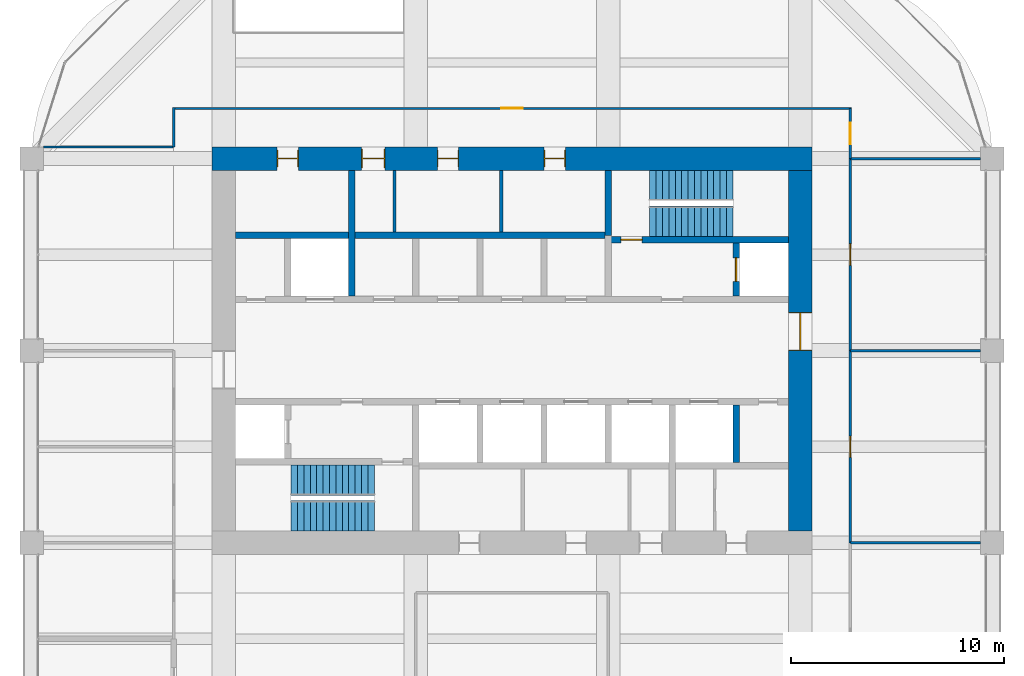
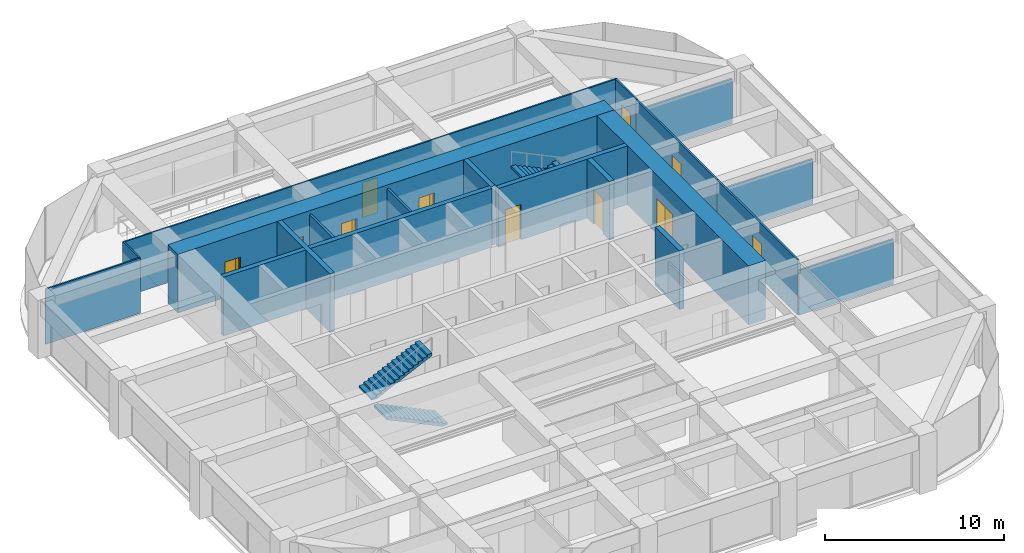
# One storey, part 43 of 44: 19 walls, 11 doors, 4 stair flights, 11 openings, 2 elements without a shape of their own.
"""IFC4 building model written with IfcOpenShell, lengths in metres."""

from ifc_helpers import new_model, si_unit, direction, frame, frame_2d, origin, place, context, subcontext, project, spatial, polyline, rectangle, outline, extrude, material, layer, layer_set, type_object, element, fill, aggregate, save


model = new_model("IFC4")

# Units and contexts
model_context = context("Model", 3, precision=1e-05, world=origin(), true_north=direction((0.0, 1.0)))
body_context = subcontext(model_context, "Body", "Model", "MODEL_VIEW")
ifc_project = project(units=[si_unit("LENGTHUNIT", "METRE"), si_unit("AREAUNIT", "SQUARE_METRE"), si_unit("VOLUMEUNIT", "CUBIC_METRE"), si_unit("PLANEANGLEUNIT", "RADIAN"), si_unit("MASSUNIT", "GRAM", prefix="KILO")], contexts=[model_context])

# Site, building, storey
site_placement = place(None, origin())
site = spatial("IfcSite", under=ifc_project, at=site_placement, CompositionType="ELEMENT")
building_placement = place(site_placement, origin())
building = spatial("IfcBuilding", under=site, at=building_placement, Name="Zorevar Civic Tower", CompositionType="ELEMENT")
storey_placement = place(building_placement, frame((0.0, 0.0, 275.39990234375)))
storey = spatial("IfcBuildingStorey", under=building, at=storey_placement, Name="L67", CompositionType="ELEMENT", Elevation=275.39990234375)

# Wall, openings, doors
ifc_material_1 = material(Name="Concrete C50/60", Category="concrete")
ifc_layer_1 = layer(ifc_material_1, 1.10009765625)
ifc_layer_set_1 = layer_set([ifc_layer_1], Name="Core wall 1100")
wall_type_1 = type_object("IfcWallType", Name="Core wall 1100", PredefinedType="SHEAR", material=ifc_layer_set_1)
wall_1_placement = place(storey_placement, frame((45.550048828125, 36.0, 0.0), z_axis=(0.0, 0.0, 1.0), x_axis=(-1.0, 0.0, 0.0)))
wall_1 = element("IfcWall", 1, at=wall_1_placement, inside=storey, type_object=wall_type_1, Name="Core wall N L67", PredefinedType="SHEAR", context=body_context, shape_type="SweptSolid", body=[
    extrude(rectangle(XDim=28.10009765625, YDim=1.10009765625, at=frame_2d((14.050048828125, 0.0))), origin(), (0.0, 0.0, 1.0), 4.0),
])
opening_1_placement = place(wall_1_placement, frame((11.550048828125, 0.0, 0.0)))
opening_1 = element("IfcOpeningElement", 2, at=opening_1_placement, cuts=wall_1, Name="Opening L67.07", PredefinedType="OPENING", context=body_context, shape_type="SweptSolid", body=[
    extrude(rectangle(XDim=1.0, YDim=2.39990234375, at=frame_2d((0.5, 1.199951171875))), frame((0.0, 0.56005859375, 0.0), z_axis=(0.0, -1.0, 0.0), x_axis=(1.0, 0.0, 0.0)), (0.0, 0.0, 1.0), 1.1201171875),
])
opening_2_placement = place(wall_1_placement, frame((16.550048828125, 0.0, 0.0)))
opening_2 = element("IfcOpeningElement", 3, at=opening_2_placement, cuts=wall_1, Name="Opening L67.08", PredefinedType="OPENING", context=body_context, shape_type="SweptSolid", body=[
    extrude(rectangle(XDim=1.0, YDim=2.39990234375, at=frame_2d((0.5, 1.199951171875))), frame((0.0, 0.56005859375, 0.0), z_axis=(0.0, -1.0, 0.0), x_axis=(1.0, 0.0, 0.0)), (0.0, 0.0, 1.0), 1.1201171875),
])
opening_3_placement = place(wall_1_placement, frame((20.0, 0.0, 0.0)))
opening_3 = element("IfcOpeningElement", 4, at=opening_3_placement, cuts=wall_1, Name="Opening L67.09", PredefinedType="OPENING", context=body_context, shape_type="SweptSolid", body=[
    extrude(rectangle(XDim=1.10009765625, YDim=2.39990234375, at=frame_2d((0.550048828125, 1.199951171875))), frame((0.0, 0.56005859375, 0.0), z_axis=(0.0, -1.0, 0.0), x_axis=(1.0, 0.0, 0.0)), (0.0, 0.0, 1.0), 1.1201171875),
])
opening_4_placement = place(wall_1_placement, frame((24.050048828125, 0.0, 0.0)))
opening_4 = element("IfcOpeningElement", 5, at=opening_4_placement, cuts=wall_1, Name="Opening L67.10", PredefinedType="OPENING", context=body_context, shape_type="SweptSolid", body=[
    extrude(rectangle(XDim=1.0, YDim=2.39990234375, at=frame_2d((0.5, 1.199951171875))), frame((0.0, 0.56005859375, 0.0), z_axis=(0.0, -1.0, 0.0), x_axis=(1.0, 0.0, 0.0)), (0.0, 0.0, 1.0), 1.1201171875),
])
ifc_material_2 = material(Name="Timber door set", Category="wood")
door_type_1 = type_object("IfcDoorType", Name="Door D1 1000x2400", OperationType="SINGLE_SWING_LEFT", PredefinedType="DOOR", material=ifc_material_2)
door_1_placement = place(opening_1_placement, origin())
door_1 = element("IfcDoor", 6, at=door_1_placement, inside=storey, type_object=door_type_1, Name="Door L67 06", OperationType="SINGLE_SWING_LEFT", OverallHeight=2.39990234375, OverallWidth=1.0, PredefinedType="DOOR", context=body_context, shape_type="SweptSolid", body=[
    extrude(rectangle(XDim=1.0, YDim=2.39990234375, at=frame_2d((0.5, 1.199951171875))), frame((0.0, 0.02490234375, 0.0), z_axis=(0.0, -1.0, 0.0), x_axis=(1.0, 0.0, 0.0)), (0.0, 0.0, 1.0), 0.050048828125),
    extrude(rectangle(XDim=0.04, YDim=2.39990234375, at=frame_2d((0.02001953125, 1.199951171875))), frame((0.0, 0.39990234375, 0.0), z_axis=(0.0, -1.0, 0.0), x_axis=(1.0, 0.0, 0.0)), (0.0, 0.0, 1.0), 0.800048828125),
    extrude(rectangle(XDim=0.04, YDim=2.39990234375, at=frame_2d((0.97998046875, 1.199951171875))), frame((0.0, 0.39990234375, 0.0), z_axis=(0.0, -1.0, 0.0), x_axis=(1.0, 0.0, 0.0)), (0.0, 0.0, 1.0), 0.800048828125),
    extrude(rectangle(XDim=1.0, YDim=0.04, at=frame_2d((0.5, 2.3798828125))), frame((0.0, 0.39990234375, 0.0), z_axis=(0.0, -1.0, 0.0), x_axis=(1.0, 0.0, 0.0)), (0.0, 0.0, 1.0), 0.800048828125),
])
fill(opening_1, door_1)
door_2_placement = place(opening_2_placement, origin())
door_2 = element("IfcDoor", 7, at=door_2_placement, inside=storey, type_object=door_type_1, Name="Door L67 07", OperationType="SINGLE_SWING_RIGHT", OverallHeight=2.39990234375, OverallWidth=1.0, PredefinedType="DOOR", context=body_context, shape_type="SweptSolid", body=[
    extrude(rectangle(XDim=1.0, YDim=2.39990234375, at=frame_2d((0.5, 1.199951171875))), frame((0.0, 0.02490234375, 0.0), z_axis=(0.0, -1.0, 0.0), x_axis=(1.0, 0.0, 0.0)), (0.0, 0.0, 1.0), 0.050048828125),
    extrude(rectangle(XDim=0.04, YDim=2.39990234375, at=frame_2d((0.02001953125, 1.199951171875))), frame((0.0, 0.39990234375, 0.0), z_axis=(0.0, -1.0, 0.0), x_axis=(1.0, 0.0, 0.0)), (0.0, 0.0, 1.0), 0.800048828125),
    extrude(rectangle(XDim=0.04, YDim=2.39990234375, at=frame_2d((0.97998046875, 1.199951171875))), frame((0.0, 0.39990234375, 0.0), z_axis=(0.0, -1.0, 0.0), x_axis=(1.0, 0.0, 0.0)), (0.0, 0.0, 1.0), 0.800048828125),
    extrude(rectangle(XDim=1.0, YDim=0.04, at=frame_2d((0.5, 2.3798828125))), frame((0.0, 0.39990234375, 0.0), z_axis=(0.0, -1.0, 0.0), x_axis=(1.0, 0.0, 0.0)), (0.0, 0.0, 1.0), 0.800048828125),
])
fill(opening_2, door_2)
door_3_placement = place(opening_4_placement, origin())
door_3 = element("IfcDoor", 8, at=door_3_placement, inside=storey, type_object=door_type_1, Name="Door L67 09", OperationType="SINGLE_SWING_RIGHT", OverallHeight=2.39990234375, OverallWidth=1.0, PredefinedType="DOOR", context=body_context, shape_type="SweptSolid", body=[
    extrude(rectangle(XDim=1.0, YDim=2.39990234375, at=frame_2d((0.5, 1.199951171875))), frame((0.0, 0.02490234375, 0.0), z_axis=(0.0, -1.0, 0.0), x_axis=(1.0, 0.0, 0.0)), (0.0, 0.0, 1.0), 0.050048828125),
    extrude(rectangle(XDim=0.04, YDim=2.39990234375, at=frame_2d((0.02001953125, 1.199951171875))), frame((0.0, 0.39990234375, 0.0), z_axis=(0.0, -1.0, 0.0), x_axis=(1.0, 0.0, 0.0)), (0.0, 0.0, 1.0), 0.800048828125),
    extrude(rectangle(XDim=0.04, YDim=2.39990234375, at=frame_2d((0.97998046875, 1.199951171875))), frame((0.0, 0.39990234375, 0.0), z_axis=(0.0, -1.0, 0.0), x_axis=(1.0, 0.0, 0.0)), (0.0, 0.0, 1.0), 0.800048828125),
    extrude(rectangle(XDim=1.0, YDim=0.04, at=frame_2d((0.5, 2.3798828125))), frame((0.0, 0.39990234375, 0.0), z_axis=(0.0, -1.0, 0.0), x_axis=(1.0, 0.0, 0.0)), (0.0, 0.0, 1.0), 0.800048828125),
])
fill(opening_4, door_3)
ifc_material_3 = material(Name="Timber door set", Category="wood")
door_type_2 = type_object("IfcDoorType", Name="Door D5 1100x2400", OperationType="SINGLE_SWING_LEFT", PredefinedType="DOOR", material=ifc_material_3)
door_4_placement = place(opening_3_placement, origin())
door_4 = element("IfcDoor", 9, at=door_4_placement, inside=storey, type_object=door_type_2, Name="Door L67 08", OperationType="SINGLE_SWING_RIGHT", OverallHeight=2.39990234375, OverallWidth=1.10009765625, PredefinedType="DOOR", context=body_context, shape_type="SweptSolid", body=[
    extrude(rectangle(XDim=1.10009765625, YDim=2.39990234375, at=frame_2d((0.550048828125, 1.199951171875))), frame((0.0, 0.02490234375, 0.0), z_axis=(0.0, -1.0, 0.0), x_axis=(1.0, 0.0, 0.0)), (0.0, 0.0, 1.0), 0.050048828125),
    extrude(rectangle(XDim=0.04, YDim=2.39990234375, at=frame_2d((0.02001953125, 1.199951171875))), frame((0.0, 0.43994140625, 0.0), z_axis=(0.0, -1.0, 0.0), x_axis=(1.0, 0.0, 0.0)), (0.0, 0.0, 1.0), 0.880126953125),
    extrude(rectangle(XDim=0.04, YDim=2.39990234375, at=frame_2d((1.080078125, 1.199951171875))), frame((0.0, 0.43994140625, 0.0), z_axis=(0.0, -1.0, 0.0), x_axis=(1.0, 0.0, 0.0)), (0.0, 0.0, 1.0), 0.880126953125),
    extrude(rectangle(XDim=1.10009765625, YDim=0.04, at=frame_2d((0.550048828125, 2.3798828125))), frame((0.0, 0.43994140625, 0.0), z_axis=(0.0, -1.0, 0.0), x_axis=(1.0, 0.0, 0.0)), (0.0, 0.0, 1.0), 0.880126953125),
])
fill(opening_3, door_4)

# Wall, opening, door
wall_2_placement = place(storey_placement, frame((45.0, 18.550048828125, 0.0), z_axis=(0.0, 0.0, 1.0), x_axis=(0.0, 1.0, 0.0)))
wall_2 = element("IfcWall", 10, at=wall_2_placement, inside=storey, type_object=wall_type_1, Name="Core wall E L67", PredefinedType="SHEAR", context=body_context, shape_type="SweptSolid", body=[
    extrude(rectangle(XDim=16.89990234375, YDim=1.10009765625, at=frame_2d((8.449951171875, 0.0))), origin(), (0.0, 0.0, 1.0), 4.0),
])
opening_5_placement = place(wall_2_placement, frame((8.449951171875, 0.0, 0.0)))
opening_5 = element("IfcOpeningElement", 11, at=opening_5_placement, cuts=wall_2, Name="Opening L67.02", PredefinedType="OPENING", context=body_context, shape_type="SweptSolid", body=[
    extrude(rectangle(XDim=1.800048828125, YDim=2.39990234375, at=frame_2d((0.89990234375, 1.199951171875))), frame((0.0, 0.56005859375, 0.0), z_axis=(0.0, -1.0, 0.0), x_axis=(1.0, 0.0, 0.0)), (0.0, 0.0, 1.0), 1.1201171875),
])
ifc_material_4 = material(Name="Steel door set", Category="steel")
door_type_3 = type_object("IfcDoorType", Name="Fire door FD2 1800x2400", OperationType="DOUBLE_DOOR_DOUBLE_SWING", PredefinedType="DOOR", material=ifc_material_4)
door_5_placement = place(opening_5_placement, origin())
door_5 = element("IfcDoor", 12, at=door_5_placement, inside=storey, type_object=door_type_3, Name="Door L67 01", OperationType="DOUBLE_DOOR_DOUBLE_SWING", OverallHeight=2.39990234375, OverallWidth=1.800048828125, PredefinedType="DOOR", context=body_context, shape_type="SweptSolid", body=[
    extrude(rectangle(XDim=1.800048828125, YDim=2.39990234375, at=frame_2d((0.89990234375, 1.199951171875))), frame((0.0, 0.030029296875, 0.0), z_axis=(0.0, -1.0, 0.0), x_axis=(1.0, 0.0, 0.0)), (0.0, 0.0, 1.0), 0.06005859375),
    extrude(rectangle(XDim=0.04, YDim=2.39990234375, at=frame_2d((0.02001953125, 1.199951171875))), frame((0.0, 0.5498046875, 0.0), z_axis=(0.0, -1.0, 0.0), x_axis=(1.0, 0.0, 0.0)), (0.0, 0.0, 1.0), 1.099609375),
    extrude(rectangle(XDim=0.04, YDim=2.39990234375, at=frame_2d((1.780029296875, 1.199951171875))), frame((0.0, 0.5498046875, 0.0), z_axis=(0.0, -1.0, 0.0), x_axis=(1.0, 0.0, 0.0)), (0.0, 0.0, 1.0), 1.099609375),
    extrude(rectangle(XDim=1.800048828125, YDim=0.04, at=frame_2d((0.89990234375, 2.3798828125))), frame((0.0, 0.5498046875, 0.0), z_axis=(0.0, -1.0, 0.0), x_axis=(1.0, 0.0, 0.0)), (0.0, 0.0, 1.0), 1.099609375),
])
fill(opening_5, door_5)

# Wall
ifc_material_5 = material(Name="Laminated glass in black aluminium frame", Category="aluminium")
ifc_layer_2 = layer(ifc_material_5, 0.10009765625)
ifc_layer_set_2 = layer_set([ifc_layer_2], Name="Glazed partition 100")
wall_type_2 = type_object("IfcWallType", Name="Glazed partition 100", PredefinedType="PARTITIONING", material=ifc_layer_set_2)
wall_3_placement = place(storey_placement, frame((9.550048828125, 36.550048828125, 0.0), z_axis=(0.0, 0.0, 1.0), x_axis=(1.0, 0.0, 0.0)))
element("IfcWall", 13, at=wall_3_placement, inside=storey, type_object=wall_type_2, Name="Glazed partition 100 L67", PredefinedType="PARTITIONING", context=body_context, shape_type="SweptSolid", body=[
    extrude(rectangle(XDim=6.099853515625, YDim=0.10009765625, at=frame_2d((3.0498046875, 0.0))), origin(), (0.0, 0.0, 1.0), 3.75),
])

# Wall, opening, door
wall_4_placement = place(storey_placement, frame((15.60009765625, 38.35009765625, 0.0), z_axis=(0.0, 0.0, 1.0), x_axis=(1.0, 0.0, 0.0)))
wall_4 = element("IfcWall", 14, at=wall_4_placement, inside=storey, type_object=wall_type_2, Name="Glazed partition 100 L67", PredefinedType="PARTITIONING", context=body_context, shape_type="SweptSolid", body=[
    extrude(rectangle(XDim=31.7998046875, YDim=0.10009765625, at=frame_2d((15.89990234375, 0.0))), origin(), (0.0, 0.0, 1.0), 3.75),
])
opening_6_placement = place(wall_4_placement, frame((15.39990234375, 0.0, 0.0)))
opening_6 = element("IfcOpeningElement", 15, at=opening_6_placement, cuts=wall_4, Name="Opening L67.25", PredefinedType="OPENING", context=body_context, shape_type="SweptSolid", body=[
    extrude(rectangle(XDim=1.0, YDim=2.39990234375, at=frame_2d((0.5, 1.199951171875))), frame((0.0, 0.06005859375, 0.0), z_axis=(0.0, -1.0, 0.0), x_axis=(1.0, 0.0, 0.0)), (0.0, 0.0, 1.0), 0.1201171875),
])
ifc_material_6 = material(Name="Timber door set", Category="wood")
door_type_4 = type_object("IfcDoorType", Name="Glazed door GD1 1000x2400", OperationType="SINGLE_SWING_LEFT", PredefinedType="DOOR", material=ifc_material_6)
door_6_placement = place(opening_6_placement, origin())
door_6 = element("IfcDoor", 16, at=door_6_placement, inside=storey, type_object=door_type_4, Name="Door L67 D1", OperationType="SINGLE_SWING_LEFT", OverallHeight=2.39990234375, OverallWidth=1.0, PredefinedType="DOOR", context=body_context, shape_type="SweptSolid", body=[
    extrude(rectangle(XDim=1.0, YDim=2.39990234375, at=frame_2d((0.5, 1.199951171875))), frame((0.0, 0.02001953125, 0.0), z_axis=(0.0, -1.0, 0.0), x_axis=(1.0, 0.0, 0.0)), (0.0, 0.0, 1.0), 0.0400390625),
])
fill(opening_6, door_6)

# Wall
wall_5_placement = place(storey_placement, frame((15.64990234375, 36.550048828125, 0.0), z_axis=(0.0, 0.0, 1.0), x_axis=(0.0, 1.0, 0.0)))
element("IfcWall", 17, at=wall_5_placement, inside=storey, type_object=wall_type_2, Name="Glazed partition 100 L67", PredefinedType="PARTITIONING", context=body_context, shape_type="SweptSolid", body=[
    extrude(rectangle(XDim=1.849853515625, YDim=0.10009765625, at=frame_2d((0.9248046875, 0.0))), origin(), (0.0, 0.0, 1.0), 3.75),
])

# Wall, opening, door
wall_6_placement = place(storey_placement, frame((47.35009765625, 36.0, 0.0), z_axis=(0.0, 0.0, 1.0), x_axis=(0.0, 1.0, 0.0)))
wall_6 = element("IfcWall", 18, at=wall_6_placement, inside=storey, type_object=wall_type_2, Name="Glazed partition 100 L67", PredefinedType="PARTITIONING", context=body_context, shape_type="SweptSolid", body=[
    extrude(rectangle(XDim=2.35009765625, YDim=0.10009765625, at=frame_2d((1.175048828125, 0.0))), origin(), (0.0, 0.0, 1.0), 3.75),
])
opening_7_placement = place(wall_6_placement, frame((0.675048828125, 0.0, 0.0)))
opening_7 = element("IfcOpeningElement", 19, at=opening_7_placement, cuts=wall_6, Name="Opening L67.33", PredefinedType="OPENING", context=body_context, shape_type="SweptSolid", body=[
    extrude(rectangle(XDim=1.0, YDim=2.39990234375, at=frame_2d((0.5, 1.199951171875))), frame((0.0, 0.06005859375, 0.0), z_axis=(0.0, -1.0, 0.0), x_axis=(1.0, 0.0, 0.0)), (0.0, 0.0, 1.0), 0.1201171875),
])
door_7_placement = place(opening_7_placement, origin())
door_7 = element("IfcDoor", 20, at=door_7_placement, inside=storey, type_object=door_type_4, Name="Door L67 D1", OperationType="SINGLE_SWING_LEFT", OverallHeight=2.39990234375, OverallWidth=1.0, PredefinedType="DOOR", context=body_context, shape_type="SweptSolid", body=[
    extrude(rectangle(XDim=1.0, YDim=2.39990234375, at=frame_2d((0.5, 1.199951171875))), frame((0.0, 0.02001953125, 0.0), z_axis=(0.0, -1.0, 0.0), x_axis=(1.0, 0.0, 0.0)), (0.0, 0.0, 1.0), 0.0400390625),
])
fill(opening_7, door_7)

ifc_material_7 = material(Name="Concrete C40/50", Category="concrete")
ifc_layer_3 = layer(ifc_material_7, 0.300048828125)
ifc_layer_set_3 = layer_set([ifc_layer_3], Name="Inner core wall 300")
wall_type_3 = type_object("IfcWallType", Name="Inner core wall 300", PredefinedType="SHEAR", material=ifc_layer_set_3)
wall_7_placement = place(storey_placement, frame((36.14990234375, 32.199951171875, 0.0), z_axis=(0.0, 0.0, 1.0), x_axis=(1.0, 0.0, 0.0)))
wall_7 = element("IfcWall", 21, at=wall_7_placement, inside=storey, type_object=wall_type_3, Name="Inner core wall N00 L67", PredefinedType="SHEAR", context=body_context, shape_type="SweptSolid", body=[
    extrude(rectangle(XDim=8.300048828125, YDim=0.300048828125, at=frame_2d((4.14990234375, 0.0))), origin(), (0.0, 0.0, 1.0), 4.0),
])
opening_8_placement = place(wall_7_placement, frame((0.449951171875, 0.0, 0.0)))
opening_8 = element("IfcOpeningElement", 22, at=opening_8_placement, cuts=wall_7, Name="Opening L67.12", PredefinedType="OPENING", context=body_context, shape_type="SweptSolid", body=[
    extrude(rectangle(XDim=1.0, YDim=2.39990234375, at=frame_2d((0.5, 1.199951171875))), frame((0.0, 0.159912109375, 0.0), z_axis=(0.0, -1.0, 0.0), x_axis=(1.0, 0.0, 0.0)), (0.0, 0.0, 1.0), 0.320068359375),
])
ifc_material_8 = material(Name="Steel door set", Category="steel")
door_type_5 = type_object("IfcDoorType", Name="Fire door FD1 1000x2400", OperationType="SINGLE_SWING_LEFT", PredefinedType="DOOR", material=ifc_material_8)
door_8_placement = place(opening_8_placement, origin())
door_8 = element("IfcDoor", 23, at=door_8_placement, inside=storey, type_object=door_type_5, Name="Door L67 11", OperationType="SINGLE_SWING_RIGHT", OverallHeight=2.39990234375, OverallWidth=1.0, PredefinedType="DOOR", context=body_context, shape_type="SweptSolid", body=[
    extrude(rectangle(XDim=1.0, YDim=2.39990234375, at=frame_2d((0.5, 1.199951171875))), frame((0.0, 0.030029296875, 0.0), z_axis=(0.0, -1.0, 0.0), x_axis=(1.0, 0.0, 0.0)), (0.0, 0.0, 1.0), 0.06005859375),
])
fill(opening_8, door_8)

# Wall
wall_8_placement = place(storey_placement, frame((36.0, 32.39990234375, 0.0), z_axis=(0.0, 0.0, 1.0), x_axis=(0.0, 1.0, 0.0)))
element("IfcWall", 24, at=wall_8_placement, inside=storey, type_object=wall_type_3, Name="Inner core wall N01 L67", PredefinedType="SHEAR", context=body_context, shape_type="SweptSolid", body=[
    extrude(rectangle(XDim=3.050048828125, YDim=0.300048828125, at=frame_2d((1.52490234375, 0.0))), origin(), (0.0, 0.0, 1.0), 4.0),
])

# Wall, opening, door
wall_9_placement = place(storey_placement, frame((42.0, 29.550048828125, 0.0), z_axis=(0.0, 0.0, 1.0), x_axis=(0.0, 1.0, 0.0)))
wall_9 = element("IfcWall", 25, at=wall_9_placement, inside=storey, type_object=wall_type_3, Name="Inner core wall N02 L67", PredefinedType="SHEAR", context=body_context, shape_type="SweptSolid", body=[
    extrude(rectangle(XDim=2.5, YDim=0.300048828125, at=frame_2d((1.25, 0.0))), origin(), (0.0, 0.0, 1.0), 4.0),
])
opening_9_placement = place(wall_9_placement, frame((0.699951171875, 0.0, 0.0)))
opening_9 = element("IfcOpeningElement", 26, at=opening_9_placement, cuts=wall_9, Name="Opening L67.FL2", PredefinedType="OPENING", context=body_context, shape_type="SweptSolid", body=[
    extrude(rectangle(XDim=1.10009765625, YDim=2.39990234375, at=frame_2d((0.550048828125, 1.199951171875))), frame((0.0, 0.159912109375, 0.0), z_axis=(0.0, -1.0, 0.0), x_axis=(1.0, 0.0, 0.0)), (0.0, 0.0, 1.0), 0.320068359375),
])
ifc_material_9 = material(Name="Steel door set", Category="steel")
door_type_6 = type_object("IfcDoorType", Name="Firefighting lift landing door LD3 1100x2400", OperationType="DOUBLE_DOOR_SLIDING", PredefinedType="DOOR", material=ifc_material_9)
door_9_placement = place(opening_9_placement, origin())
door_9 = element("IfcDoor", 27, at=door_9_placement, inside=storey, type_object=door_type_6, Name="Landing door FL2 L67", OperationType="DOUBLE_DOOR_SLIDING", OverallHeight=2.39990234375, OverallWidth=1.10009765625, PredefinedType="DOOR", context=body_context, shape_type="SweptSolid", body=[
    extrude(rectangle(XDim=1.10009765625, YDim=2.39990234375, at=frame_2d((0.550048828125, 1.199951171875))), frame((0.0, 0.030029296875, 0.0), z_axis=(0.0, -1.0, 0.0), x_axis=(1.0, 0.0, 0.0)), (0.0, 0.0, 1.0), 0.06005859375),
])
fill(opening_9, door_9)

# Walls
wall_10_placement = place(storey_placement, frame((18.550048828125, 32.39990234375, 0.0), z_axis=(0.0, 0.0, 1.0), x_axis=(1.0, 0.0, 0.0)))
element("IfcWall", 28, at=wall_10_placement, inside=storey, type_object=wall_type_3, Name="Inner core wall N04 L67", PredefinedType="SHEAR", context=body_context, shape_type="SweptSolid", body=[
    extrude(rectangle(XDim=17.300048828125, YDim=0.300048828125, at=frame_2d((8.64990234375, 0.0))), origin(), (0.0, 0.0, 1.0), 4.0),
])
wall_11_placement = place(storey_placement, frame((24.0, 29.550048828125, 0.0), z_axis=(0.0, 0.0, 1.0), x_axis=(0.0, 1.0, 0.0)))
element("IfcWall", 29, at=wall_11_placement, inside=storey, type_object=wall_type_3, Name="Inner core wall N08 L67", PredefinedType="SHEAR", context=body_context, shape_type="SweptSolid", body=[
    extrude(rectangle(XDim=5.89990234375, YDim=0.300048828125, at=frame_2d((2.949951171875, 0.0))), origin(), (0.0, 0.0, 1.0), 4.0),
])
wall_12_placement = place(storey_placement, frame((42.0, 21.75, 0.0), z_axis=(0.0, 0.0, 1.0), x_axis=(0.0, 1.0, 0.0)))
element("IfcWall", 30, at=wall_12_placement, inside=storey, type_object=wall_type_3, Name="Inner core wall S09 L67", PredefinedType="SHEAR", context=body_context, shape_type="SweptSolid", body=[
    extrude(rectangle(XDim=2.699951171875, YDim=0.300048828125, at=frame_2d((1.35009765625, 0.0))), origin(), (0.0, 0.0, 1.0), 4.0),
])
ifc_material_10 = material(Name="Gypsum board on steel studs", Category="steel")
ifc_layer_4 = layer(ifc_material_10, 0.1201171875)
ifc_layer_set_4 = layer_set([ifc_layer_4], Name="Partition 120")
wall_type_4 = type_object("IfcWallType", Name="Partition 120", PredefinedType="PARTITIONING", material=ifc_layer_set_4)
for number, where, z_axis, x_axis, name in (
    (31, (47.35009765625, 18.0, 0.0), (0.0, 0.0, 1.0), (1.0, 0.0, 0.0), "Partition 120 L67"),
    (32, (47.35009765625, 27.0, 0.0), (0.0, 0.0, 1.0), (1.0, 0.0, 0.0), "Partition 120 L67"),
    (33, (47.35009765625, 36.0, 0.0), (0.0, 0.0, 1.0), (1.0, 0.0, 0.0), "Partition 120 L67"),
):
    element("IfcWall", number, at=place(storey_placement, frame(where, z_axis=z_axis, x_axis=x_axis)), inside=storey, type_object=wall_type_4, Name=name, PredefinedType="PARTITIONING", context=body_context, shape_type="SweptSolid", body=[
        extrude(rectangle(XDim=6.099853515625, YDim=0.1201171875, at=frame_2d((3.0498046875, 0.0))), origin(), (0.0, 0.0, 1.0), 3.050048828125),
    ])

# Wall, opening, door
wall_13_placement = place(storey_placement, frame((47.35009765625, 18.0, 0.0), z_axis=(0.0, 0.0, 1.0), x_axis=(0.0, 1.0, 0.0)))
wall_13 = element("IfcWall", 34, at=wall_13_placement, inside=storey, type_object=wall_type_4, Name="Partition 120 L67", PredefinedType="PARTITIONING", context=body_context, shape_type="SweptSolid", body=[
    extrude(rectangle(XDim=9.0, YDim=0.1201171875, at=frame_2d((4.5, 0.0))), origin(), (0.0, 0.0, 1.0), 3.75),
])
opening_10_placement = place(wall_13_placement, frame((4.0, 0.0, 0.0)))
opening_10 = element("IfcOpeningElement", 35, at=opening_10_placement, cuts=wall_13, Name="Opening L67.31", PredefinedType="OPENING", context=body_context, shape_type="SweptSolid", body=[
    extrude(rectangle(XDim=1.0, YDim=2.39990234375, at=frame_2d((0.5, 1.199951171875))), frame((0.0, 0.070068359375, 0.0), z_axis=(0.0, -1.0, 0.0), x_axis=(1.0, 0.0, 0.0)), (0.0, 0.0, 1.0), 0.14013671875),
])
door_10_placement = place(opening_10_placement, origin())
door_10 = element("IfcDoor", 36, at=door_10_placement, inside=storey, type_object=door_type_1, Name="Door L67 D1", OperationType="SINGLE_SWING_RIGHT", OverallHeight=2.39990234375, OverallWidth=1.0, PredefinedType="DOOR", context=body_context, shape_type="SweptSolid", body=[
    extrude(rectangle(XDim=1.0, YDim=2.39990234375, at=frame_2d((0.5, 1.199951171875))), frame((0.0, 0.02490234375, 0.0), z_axis=(0.0, -1.0, 0.0), x_axis=(1.0, 0.0, 0.0)), (0.0, 0.0, 1.0), 0.050048828125),
])
fill(opening_10, door_10)

wall_14_placement = place(storey_placement, frame((47.35009765625, 27.0, 0.0), z_axis=(0.0, 0.0, 1.0), x_axis=(0.0, 1.0, 0.0)))
wall_14 = element("IfcWall", 37, at=wall_14_placement, inside=storey, type_object=wall_type_4, Name="Partition 120 L67", PredefinedType="PARTITIONING", context=body_context, shape_type="SweptSolid", body=[
    extrude(rectangle(XDim=9.0, YDim=0.1201171875, at=frame_2d((4.5, 0.0))), origin(), (0.0, 0.0, 1.0), 3.75),
])
opening_11_placement = place(wall_14_placement, frame((4.0, 0.0, 0.0)))
opening_11 = element("IfcOpeningElement", 38, at=opening_11_placement, cuts=wall_14, Name="Opening L67.32", PredefinedType="OPENING", context=body_context, shape_type="SweptSolid", body=[
    extrude(rectangle(XDim=1.0, YDim=2.39990234375, at=frame_2d((0.5, 1.199951171875))), frame((0.0, 0.070068359375, 0.0), z_axis=(0.0, -1.0, 0.0), x_axis=(1.0, 0.0, 0.0)), (0.0, 0.0, 1.0), 0.14013671875),
])
door_11_placement = place(opening_11_placement, origin())
door_11 = element("IfcDoor", 39, at=door_11_placement, inside=storey, type_object=door_type_1, Name="Door L67 D1", OperationType="SINGLE_SWING_LEFT", OverallHeight=2.39990234375, OverallWidth=1.0, PredefinedType="DOOR", context=body_context, shape_type="SweptSolid", body=[
    extrude(rectangle(XDim=1.0, YDim=2.39990234375, at=frame_2d((0.5, 1.199951171875))), frame((0.0, 0.02490234375, 0.0), z_axis=(0.0, -1.0, 0.0), x_axis=(1.0, 0.0, 0.0)), (0.0, 0.0, 1.0), 0.050048828125),
])
fill(opening_11, door_11)

# Walls
ifc_material_11 = material(Name="Gypsum board on steel studs, moisture resistant", Category="steel")
ifc_layer_5 = layer(ifc_material_11, 0.14990234375)
ifc_layer_set_5 = layer_set([ifc_layer_5], Name="WC partition 150")
wall_type_5 = type_object("IfcWallType", Name="WC partition 150", PredefinedType="PARTITIONING", material=ifc_layer_set_5)
for number, where, z_axis, x_axis, name in (
    (40, (31.0, 32.550048828125, 0.0), (0.0, 0.0, 1.0), (0.0, 1.0, 0.0), "WC partition L67"),
    (41, (26.0, 32.550048828125, 0.0), (0.0, 0.0, 1.0), (0.0, 1.0, 0.0), "WC partition L67"),
):
    element("IfcWall", number, at=place(storey_placement, frame(where, z_axis=z_axis, x_axis=x_axis)), inside=storey, type_object=wall_type_5, Name=name, PredefinedType="PARTITIONING", context=body_context, shape_type="SweptSolid", body=[
        extrude(rectangle(XDim=2.89990234375, YDim=0.14990234375, at=frame_2d((1.449951171875, 0.0))), origin(), (0.0, 0.0, 1.0), 3.75),
    ])

# Stair, stair flights
ifc_material_12 = material(Name="Precast concrete C40/50", Category="concrete")
stair_type = type_object("IfcStairType", Name="Stair ST 28R", PredefinedType="HALF_TURN_STAIR", material=ifc_material_12)
stair_1_placement = place(storey_placement, origin())
stair_1 = element("IfcStair", 42, at=stair_1_placement, inside=storey, type_object=stair_type, Name="Stair ST1 L67", PredefinedType="HALF_TURN_STAIR")
ifc_material_13 = material(Name="Precast concrete C40/50", Category="concrete")
stair_flight_type = type_object("IfcStairFlightType", Name="Stair flight", PredefinedType="STRAIGHT", material=ifc_material_13)
stair_flight_1_placement = place(storey_placement, frame((25.050048828125, 19.262451171875, 0.0), z_axis=(0.0, 0.0, 1.0), x_axis=(-1.0, 0.0, 0.0)))
stair_flight_1 = element("IfcStairFlight", 43, at=stair_flight_1_placement, type_object=stair_flight_type, Name="ST1 flight 1", NumberOfRisers=14, NumberOfTreads=13, PredefinedType="STRAIGHT", RiserHeight=0.142857143, TreadLength=0.3, context=body_context, shape_type="SweptSolid", body=[
    extrude(outline(polyline([(0.0, 0.0), (0.0, 0.142822265625), (0.300048828125, 0.142822265625), (0.300048828125, 0.28564453125), (0.60009765625, 0.28564453125), (0.60009765625, 0.428466796875), (0.89990234375, 0.428466796875), (0.89990234375, 0.571533203125), (1.199951171875, 0.571533203125), (1.199951171875, 0.71435546875), (1.5, 0.71435546875), (1.5, 0.857177734375), (1.800048828125, 0.857177734375), (1.800048828125, 1.0), (2.10009765625, 1.0), (2.10009765625, 1.142822265625), (2.39990234375, 1.142822265625), (2.39990234375, 1.28564453125), (2.699951171875, 1.28564453125), (2.699951171875, 1.428466796875), (3.0, 1.428466796875), (3.0, 1.571533203125), (3.300048828125, 1.571533203125), (3.300048828125, 1.71435546875), (3.60009765625, 1.71435546875), (3.60009765625, 1.857177734375), (3.89990234375, 1.857177734375), (3.89990234375, 2.0), (3.89990234375, 1.691162109375), (0.3486328125, 0.0), (0.0, 0.0)])), frame((0.0, 0.71240234375, 0.0), z_axis=(0.0, -1.0, 0.0), x_axis=(1.0, 0.0, 0.0)), (0.0, 0.0, 1.0), 1.425048828125),
])
stair_flight_2_placement = place(storey_placement, frame((21.14990234375, 20.9375, 2.0), z_axis=(0.0, 0.0, 1.0), x_axis=(1.0, 0.0, 0.0)))
stair_flight_2 = element("IfcStairFlight", 44, at=stair_flight_2_placement, type_object=stair_flight_type, Name="ST1 flight 2", NumberOfRisers=14, NumberOfTreads=13, PredefinedType="STRAIGHT", RiserHeight=0.142857143, TreadLength=0.3, context=body_context, shape_type="SweptSolid", body=[
    extrude(outline(polyline([(0.0, 0.0), (0.0, 0.142822265625), (0.300048828125, 0.142822265625), (0.300048828125, 0.28564453125), (0.60009765625, 0.28564453125), (0.60009765625, 0.428466796875), (0.89990234375, 0.428466796875), (0.89990234375, 0.571533203125), (1.199951171875, 0.571533203125), (1.199951171875, 0.71435546875), (1.5, 0.71435546875), (1.5, 0.857177734375), (1.800048828125, 0.857177734375), (1.800048828125, 1.0), (2.10009765625, 1.0), (2.10009765625, 1.142822265625), (2.39990234375, 1.142822265625), (2.39990234375, 1.28564453125), (2.699951171875, 1.28564453125), (2.699951171875, 1.428466796875), (3.0, 1.428466796875), (3.0, 1.571533203125), (3.300048828125, 1.571533203125), (3.300048828125, 1.71435546875), (3.60009765625, 1.71435546875), (3.60009765625, 1.857177734375), (3.89990234375, 1.857177734375), (3.89990234375, 2.0), (3.89990234375, 1.691162109375), (0.3486328125, 0.0), (0.0, 0.0)])), frame((0.0, 0.71240234375, 0.0), z_axis=(0.0, -1.0, 0.0), x_axis=(1.0, 0.0, 0.0)), (0.0, 0.0, 1.0), 1.425048828125),
])
aggregate(stair_1, [stair_flight_1, stair_flight_2])

stair_2_placement = place(storey_placement, origin())
stair_2 = element("IfcStair", 45, at=stair_2_placement, inside=storey, type_object=stair_type, Name="Stair ST2 L67", PredefinedType="HALF_TURN_STAIR")
stair_flight_3_placement = place(storey_placement, frame((37.949951171875, 34.737548828125, 0.0), z_axis=(0.0, 0.0, 1.0), x_axis=(1.0, 0.0, 0.0)))
stair_flight_3 = element("IfcStairFlight", 46, at=stair_flight_3_placement, type_object=stair_flight_type, Name="ST2 flight 1", NumberOfRisers=14, NumberOfTreads=13, PredefinedType="STRAIGHT", RiserHeight=0.142857143, TreadLength=0.3, context=body_context, shape_type="SweptSolid", body=[
    extrude(outline(polyline([(0.0, 0.0), (0.0, 0.142822265625), (0.300048828125, 0.142822265625), (0.300048828125, 0.28564453125), (0.60009765625, 0.28564453125), (0.60009765625, 0.428466796875), (0.89990234375, 0.428466796875), (0.89990234375, 0.571533203125), (1.199951171875, 0.571533203125), (1.199951171875, 0.71435546875), (1.5, 0.71435546875), (1.5, 0.857177734375), (1.800048828125, 0.857177734375), (1.800048828125, 1.0), (2.10009765625, 1.0), (2.10009765625, 1.142822265625), (2.39990234375, 1.142822265625), (2.39990234375, 1.28564453125), (2.699951171875, 1.28564453125), (2.699951171875, 1.428466796875), (3.0, 1.428466796875), (3.0, 1.571533203125), (3.300048828125, 1.571533203125), (3.300048828125, 1.71435546875), (3.60009765625, 1.71435546875), (3.60009765625, 1.857177734375), (3.89990234375, 1.857177734375), (3.89990234375, 2.0), (3.89990234375, 1.691162109375), (0.3486328125, 0.0), (0.0, 0.0)])), frame((0.0, 0.71240234375, 0.0), z_axis=(0.0, -1.0, 0.0), x_axis=(1.0, 0.0, 0.0)), (0.0, 0.0, 1.0), 1.425048828125),
])
stair_flight_4_placement = place(storey_placement, frame((41.85009765625, 33.0625, 2.0), z_axis=(0.0, 0.0, 1.0), x_axis=(-1.0, 0.0, 0.0)))
stair_flight_4 = element("IfcStairFlight", 47, at=stair_flight_4_placement, type_object=stair_flight_type, Name="ST2 flight 2", NumberOfRisers=14, NumberOfTreads=13, PredefinedType="STRAIGHT", RiserHeight=0.142857143, TreadLength=0.3, context=body_context, shape_type="SweptSolid", body=[
    extrude(outline(polyline([(0.0, 0.0), (0.0, 0.142822265625), (0.300048828125, 0.142822265625), (0.300048828125, 0.28564453125), (0.60009765625, 0.28564453125), (0.60009765625, 0.428466796875), (0.89990234375, 0.428466796875), (0.89990234375, 0.571533203125), (1.199951171875, 0.571533203125), (1.199951171875, 0.71435546875), (1.5, 0.71435546875), (1.5, 0.857177734375), (1.800048828125, 0.857177734375), (1.800048828125, 1.0), (2.10009765625, 1.0), (2.10009765625, 1.142822265625), (2.39990234375, 1.142822265625), (2.39990234375, 1.28564453125), (2.699951171875, 1.28564453125), (2.699951171875, 1.428466796875), (3.0, 1.428466796875), (3.0, 1.571533203125), (3.300048828125, 1.571533203125), (3.300048828125, 1.71435546875), (3.60009765625, 1.71435546875), (3.60009765625, 1.857177734375), (3.89990234375, 1.857177734375), (3.89990234375, 2.0), (3.89990234375, 1.691162109375), (0.3486328125, 0.0), (0.0, 0.0)])), frame((0.0, 0.71240234375, 0.0), z_axis=(0.0, -1.0, 0.0), x_axis=(1.0, 0.0, 0.0)), (0.0, 0.0, 1.0), 1.425048828125),
])
aggregate(stair_2, [stair_flight_3, stair_flight_4])

save(model, "model.ifc")
